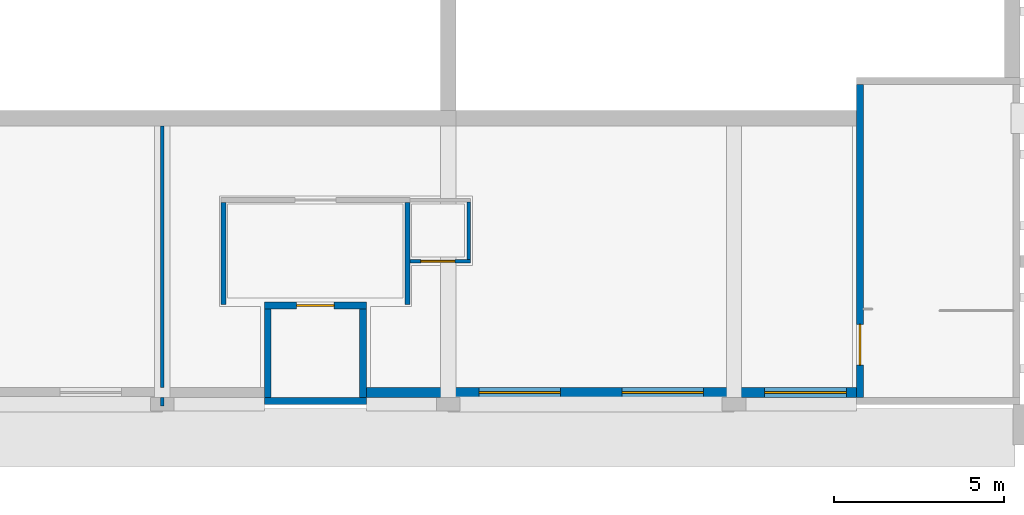
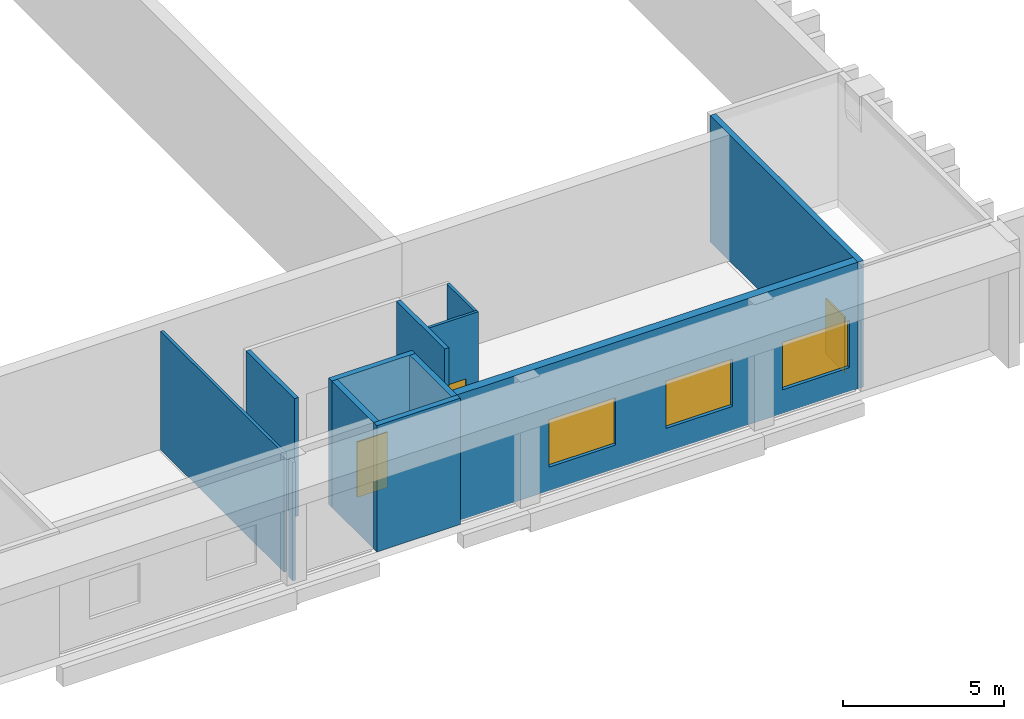
# One storey, part 47 of 86: 12 walls, 3 doors, 3 windows, 6 openings.
"""IFC4 building model written with IfcOpenShell, lengths in metres."""

from ifc_helpers import new_model, si_unit, direction, frame, frame_2d, origin, place, context, subcontext, project, spatial, rectangle, extrude, material, layer, layer_set, type_object, element, fill, save


model = new_model("IFC4")

# Units and contexts
model_context = context("Model", 3, precision=1e-05, world=origin(), true_north=direction((0.0, 1.0)))
body_context = subcontext(model_context, "Body", "Model", "MODEL_VIEW")
ifc_project = project(units=[si_unit("LENGTHUNIT", "METRE"), si_unit("AREAUNIT", "SQUARE_METRE"), si_unit("VOLUMEUNIT", "CUBIC_METRE"), si_unit("PLANEANGLEUNIT", "RADIAN"), si_unit("MASSUNIT", "GRAM", prefix="KILO")], contexts=[model_context])

# Site, building, storey
site_placement = place(None, origin())
site = spatial("IfcSite", under=ifc_project, at=site_placement, CompositionType="ELEMENT")
building_placement = place(site_placement, origin())
building = spatial("IfcBuilding", under=site, at=building_placement, Name="Kiln Court Media Centre", CompositionType="ELEMENT")
storey_placement = place(building_placement, frame((0.0, 0.0, 10.199951171875)))
storey = spatial("IfcBuildingStorey", under=building, at=storey_placement, Name="L02", CompositionType="ELEMENT", Elevation=10.199951171875)

# Walls
ifc_material_1 = material(Name="Concrete block masonry M7.5", Category="masonry")
ifc_layer_1 = layer(ifc_material_1, 0.14990234375)
ifc_layer_set_1 = layer_set([ifc_layer_1], Name="Block lobby wall 150 EI 120")
wall_type_1 = type_object("IfcWallType", Name="Block lobby wall 150 EI 120", PredefinedType="SOLIDWALL", material=ifc_layer_set_1)
for number, where, z_axis, x_axis, name in (
    (1, (77.39990234375, 28.125, 0.0), (0.0, 0.0, 1.0), (0.0, 1.0, 0.0), "L02 block lobby wall"),
    (2, (82.800048828125, 28.125, 0.0), (0.0, 0.0, 1.0), (0.0, 1.0, 0.0), "L02 block lobby wall"),
):
    element("IfcWall", number, at=place(storey_placement, frame(where, z_axis=z_axis, x_axis=x_axis)), inside=storey, type_object=wall_type_1, Name=name, PredefinedType="SOLIDWALL", context=body_context, shape_type="SweptSolid", body=[
        extrude(rectangle(XDim=3.0, YDim=0.14990234375, at=frame_2d((1.5, 0.0))), origin(), (0.0, 0.0, 1.0), 4.5),
    ])

# Wall, openings, windows
ifc_material_2 = material(Name="Concrete C40/50", Category="concrete")
ifc_layer_2 = layer(ifc_material_2, 0.300048828125)
ifc_layer_set_2 = layer_set([ifc_layer_2], Name="Concrete C40/50 board-marked facade wall 300")
wall_type_2 = type_object("IfcWallType", Name="Concrete C40/50 board-marked facade wall 300", PredefinedType="SOLIDWALL", material=ifc_layer_set_2)
wall_1_placement = place(storey_placement, frame((96.0, 25.550048828125, 0.0), z_axis=(0.0, 0.0, 1.0), x_axis=(-1.0, 0.0, 0.0)))
wall_1 = element("IfcWall", 3, at=wall_1_placement, inside=storey, type_object=wall_type_2, Name="V1 S facade wall 4002", PredefinedType="SOLIDWALL", context=body_context, shape_type="SweptSolid", body=[
    extrude(rectangle(XDim=14.39990234375, YDim=0.300048828125, at=frame_2d((7.199951171875, 0.0))), origin(), (0.0, 0.0, 1.0), 4.800048828125),
])
opening_1_placement = place(wall_1_placement, frame((8.699951171875, 0.0, 0.89990234375)))
opening_1 = element("IfcOpeningElement", 4, at=opening_1_placement, cuts=wall_1, Name="Opening WN2503", PredefinedType="OPENING", context=body_context, shape_type="SweptSolid", body=[
    extrude(rectangle(XDim=2.39990234375, YDim=1.800048828125, at=frame_2d((1.199951171875, 0.89990234375))), frame((0.0, 0.159912109375, 0.0), z_axis=(0.0, -1.0, 0.0), x_axis=(1.0, 0.0, 0.0)), (0.0, 0.0, 1.0), 0.320068359375),
])
opening_2_placement = place(wall_1_placement, frame((4.5, 0.0, 0.89990234375)))
opening_2 = element("IfcOpeningElement", 5, at=opening_2_placement, cuts=wall_1, Name="Opening WN2504", PredefinedType="OPENING", context=body_context, shape_type="SweptSolid", body=[
    extrude(rectangle(XDim=2.39990234375, YDim=1.800048828125, at=frame_2d((1.199951171875, 0.89990234375))), frame((0.0, 0.159912109375, 0.0), z_axis=(0.0, -1.0, 0.0), x_axis=(1.0, 0.0, 0.0)), (0.0, 0.0, 1.0), 0.320068359375),
])
opening_3_placement = place(wall_1_placement, frame((0.300048828125, 0.0, 0.89990234375)))
opening_3 = element("IfcOpeningElement", 6, at=opening_3_placement, cuts=wall_1, Name="Opening WN2505", PredefinedType="OPENING", context=body_context, shape_type="SweptSolid", body=[
    extrude(rectangle(XDim=2.39990234375, YDim=1.800048828125, at=frame_2d((1.199951171875, 0.89990234375))), frame((0.0, 0.159912109375, 0.0), z_axis=(0.0, -1.0, 0.0), x_axis=(1.0, 0.0, 0.0)), (0.0, 0.0, 1.0), 0.320068359375),
])
ifc_material_3 = material(Name="Aluminium 6063-T6", Category="aluminium")
window_type = type_object("IfcWindowType", Name="Aluminium lobby window 2400x1800", PartitioningType="TRIPLE_PANEL_VERTICAL", PredefinedType="WINDOW", material=ifc_material_3)
window_1_placement = place(opening_1_placement, origin())
window_1 = element("IfcWindow", 7, at=window_1_placement, inside=storey, type_object=window_type, Name="V1 S lounge window", OverallHeight=1.800048828125, OverallWidth=2.39990234375, PartitioningType="SINGLE_PANEL", PredefinedType="WINDOW", context=body_context, shape_type="SweptSolid", body=[
    extrude(rectangle(XDim=2.39990234375, YDim=1.800048828125, at=frame_2d((1.199951171875, 0.89990234375))), frame((0.0, 0.030029296875, 0.0), z_axis=(0.0, -1.0, 0.0), x_axis=(1.0, 0.0, 0.0)), (0.0, 0.0, 1.0), 0.06005859375),
])
fill(opening_1, window_1)
window_2_placement = place(opening_2_placement, origin())
window_2 = element("IfcWindow", 8, at=window_2_placement, inside=storey, type_object=window_type, Name="V1 S lounge window", OverallHeight=1.800048828125, OverallWidth=2.39990234375, PartitioningType="SINGLE_PANEL", PredefinedType="WINDOW", context=body_context, shape_type="SweptSolid", body=[
    extrude(rectangle(XDim=2.39990234375, YDim=1.800048828125, at=frame_2d((1.199951171875, 0.89990234375))), frame((0.0, 0.030029296875, 0.0), z_axis=(0.0, -1.0, 0.0), x_axis=(1.0, 0.0, 0.0)), (0.0, 0.0, 1.0), 0.06005859375),
])
fill(opening_2, window_2)
window_3_placement = place(opening_3_placement, origin())
window_3 = element("IfcWindow", 9, at=window_3_placement, inside=storey, type_object=window_type, Name="V1 S lounge window", OverallHeight=1.800048828125, OverallWidth=2.39990234375, PartitioningType="SINGLE_PANEL", PredefinedType="WINDOW", context=body_context, shape_type="SweptSolid", body=[
    extrude(rectangle(XDim=2.39990234375, YDim=1.800048828125, at=frame_2d((1.199951171875, 0.89990234375))), frame((0.0, 0.030029296875, 0.0), z_axis=(0.0, -1.0, 0.0), x_axis=(1.0, 0.0, 0.0)), (0.0, 0.0, 1.0), 0.06005859375),
])
fill(opening_3, window_3)

# Wall, opening, door
ifc_material_4 = material(Name="Concrete C40/50", Category="concrete")
ifc_layer_3 = layer(ifc_material_4, 0.199951171875)
ifc_layer_set_3 = layer_set([ifc_layer_3], Name="Concrete C40/50 shear wall 200")
wall_type_3 = type_object("IfcWallType", Name="Concrete C40/50 shear wall 200", PredefinedType="SHEAR", material=ifc_layer_set_3)
wall_2_placement = place(storey_placement, frame((96.10009765625, 25.39990234375, 0.0), z_axis=(0.0, 0.0, 1.0), x_axis=(0.0, 1.0, 0.0)))
wall_2 = element("IfcWall", 10, at=wall_2_placement, inside=storey, type_object=wall_type_3, Name="L02-W-1038", PredefinedType="SHEAR", context=body_context, shape_type="SweptSolid", body=[
    extrude(rectangle(XDim=9.2001953125, YDim=0.199951171875, at=frame_2d((4.60009765625, 0.0))), origin(), (0.0, 0.0, 1.0), 4.800048828125),
])
opening_4_placement = place(wall_2_placement, frame((0.9501953125, 0.0, 0.0)))
opening_4 = element("IfcOpeningElement", 11, at=opening_4_placement, cuts=wall_2, Name="Opening D2003", PredefinedType="OPENING", context=body_context, shape_type="SweptSolid", body=[
    extrude(rectangle(XDim=1.199951171875, YDim=2.10009765625, at=frame_2d((0.60009765625, 1.050048828125))), frame((0.0, 0.10986328125, 0.0), z_axis=(0.0, -1.0, 0.0), x_axis=(1.0, 0.0, 0.0)), (0.0, 0.0, 1.0), 0.219970703125),
])
ifc_material_5 = material(Name="Steel S275", Category="steel")
door_type_1 = type_object("IfcDoorType", Name="Steel stair door 1200 x 2100 FD180", OperationType="SINGLE_SWING_LEFT", PredefinedType="DOOR", material=ifc_material_5)
door_1_placement = place(opening_4_placement, origin())
door_1 = element("IfcDoor", 12, at=door_1_placement, inside=storey, type_object=door_type_1, Name="Upper Lounge and Bar / Stair 10", OperationType="SINGLE_SWING_LEFT", OverallHeight=2.10009765625, OverallWidth=1.199951171875, PredefinedType="DOOR", context=body_context, shape_type="SweptSolid", body=[
    extrude(rectangle(XDim=1.199951171875, YDim=2.10009765625, at=frame_2d((0.60009765625, 1.050048828125))), frame((0.0, 0.02490234375, 0.0), z_axis=(0.0, -1.0, 0.0), x_axis=(1.0, 0.0, 0.0)), (0.0, 0.0, 1.0), 0.050048828125),
])
fill(opening_4, door_1)

# Wall
wall_3_placement = place(storey_placement, frame((81.60009765625, 25.300048828125, 0.0), z_axis=(0.0, 0.0, 1.0), x_axis=(-1.0, 0.0, 0.0)))
element("IfcWall", 13, at=wall_3_placement, inside=storey, type_object=wall_type_3, Name="L02-W-1090", PredefinedType="SHEAR", context=body_context, shape_type="SweptSolid", body=[
    extrude(rectangle(XDim=3.0, YDim=0.199951171875, at=frame_2d((1.5, 0.0))), origin(), (0.0, 0.0, 1.0), 4.800048828125),
])

# Wall, opening, door
wall_4_placement = place(storey_placement, frame((78.60009765625, 28.10009765625, 0.0), z_axis=(0.0, 0.0, 1.0), x_axis=(1.0, 0.0, 0.0)))
wall_4 = element("IfcWall", 14, at=wall_4_placement, inside=storey, type_object=wall_type_3, Name="L02-W-1091", PredefinedType="SHEAR", context=body_context, shape_type="SweptSolid", body=[
    extrude(rectangle(XDim=3.0, YDim=0.199951171875, at=frame_2d((1.5, 0.0))), origin(), (0.0, 0.0, 1.0), 4.800048828125),
])
opening_5_placement = place(wall_4_placement, frame((0.949951171875, 0.0, 0.0)))
opening_5 = element("IfcOpeningElement", 15, at=opening_5_placement, cuts=wall_4, Name="Opening LD209", PredefinedType="OPENING", context=body_context, shape_type="SweptSolid", body=[
    extrude(rectangle(XDim=1.10009765625, YDim=2.10009765625, at=frame_2d((0.550048828125, 1.050048828125))), frame((0.0, 0.10986328125, 0.0), z_axis=(0.0, -1.0, 0.0), x_axis=(1.0, 0.0, 0.0)), (0.0, 0.0, 1.0), 0.219970703125),
])
ifc_material_6 = material(Name="Stainless steel", Category="steel")
door_type_2 = type_object("IfcDoorType", Name="Firefighting lift landing door 1100 x 2100 FD120", OperationType="SLIDING_TO_LEFT", PredefinedType="DOOR", material=ifc_material_6)
door_2_placement = place(opening_5_placement, origin())
door_2 = element("IfcDoor", 16, at=door_2_placement, inside=storey, type_object=door_type_2, Name="LF-09 landing door L02", OperationType="SLIDING_TO_LEFT", OverallHeight=2.10009765625, OverallWidth=1.10009765625, PredefinedType="DOOR", context=body_context, shape_type="SweptSolid", body=[
    extrude(rectangle(XDim=1.10009765625, YDim=2.10009765625, at=frame_2d((0.550048828125, 1.050048828125))), frame((0.0, 0.02490234375, 0.0), z_axis=(0.0, -1.0, 0.0), x_axis=(1.0, 0.0, 0.0)), (0.0, 0.0, 1.0), 0.050048828125),
])
fill(opening_5, door_2)

# Walls
for number, where, z_axis, x_axis, name in (
    (17, (78.699951171875, 25.39990234375, 0.0), (0.0, 0.0, 1.0), (0.0, 1.0, 0.0), "L02-W-1092"),
    (18, (81.5, 28.0, 0.0), (0.0, 0.0, 1.0), (0.0, -1.0, 0.0), "L02-W-1093"),
):
    element("IfcWall", number, at=place(storey_placement, frame(where, z_axis=z_axis, x_axis=x_axis)), inside=storey, type_object=wall_type_3, Name=name, PredefinedType="SHEAR", context=body_context, shape_type="SweptSolid", body=[
        extrude(rectangle(XDim=2.60009765625, YDim=0.199951171875, at=frame_2d((1.300048828125, 0.0))), origin(), (0.0, 0.0, 1.0), 4.800048828125),
    ])

# Wall, opening, door
ifc_material_7 = material(Name="Gypsum plasterboard", Category="gypsum")
ifc_layer_4 = layer(ifc_material_7, 0.10009765625)
ifc_layer_set_4 = layer_set([ifc_layer_4], Name="Gypsum stud partition 100")
wall_type_4 = type_object("IfcWallType", Name="Gypsum stud partition 100", PredefinedType="PARTITIONING", material=ifc_layer_set_4)
wall_5_placement = place(storey_placement, frame((82.875, 29.39990234375, 0.0), z_axis=(0.0, 0.0, 1.0), x_axis=(1.0, 0.0, 0.0)))
wall_5 = element("IfcWall", 19, at=wall_5_placement, inside=storey, type_object=wall_type_4, Name="L02 gypsum stud partition", PredefinedType="PARTITIONING", context=body_context, shape_type="SweptSolid", body=[
    extrude(rectangle(XDim=1.77490234375, YDim=0.10009765625, at=frame_2d((0.887451171875, 0.0))), origin(), (0.0, 0.0, 1.0), 4.5),
])
opening_6_placement = place(wall_5_placement, frame((0.324951171875, 0.0, 0.0)))
opening_6 = element("IfcOpeningElement", 20, at=opening_6_placement, cuts=wall_5, Name="Opening D2024", PredefinedType="OPENING", context=body_context, shape_type="SweptSolid", body=[
    extrude(rectangle(XDim=1.0, YDim=2.10009765625, at=frame_2d((0.5, 1.050048828125))), frame((0.0, 0.06005859375, 0.0), z_axis=(0.0, -1.0, 0.0), x_axis=(1.0, 0.0, 0.0)), (0.0, 0.0, 1.0), 0.1201171875),
])
ifc_material_8 = material(Name="Timber", Category="wood")
door_type_3 = type_object("IfcDoorType", Name="Timber door 1000 x 2100", OperationType="SINGLE_SWING_LEFT", PredefinedType="DOOR", material=ifc_material_8)
door_3_placement = place(opening_6_placement, origin())
door_3 = element("IfcDoor", 21, at=door_3_placement, inside=storey, type_object=door_type_3, Name="Upper Lounge and Bar / Wheelchair Refuge", OperationType="SINGLE_SWING_LEFT", OverallHeight=2.10009765625, OverallWidth=1.0, PredefinedType="DOOR", context=body_context, shape_type="SweptSolid", body=[
    extrude(rectangle(XDim=1.0, YDim=2.10009765625, at=frame_2d((0.5, 1.050048828125))), frame((0.0, 0.02490234375, 0.0), z_axis=(0.0, -1.0, 0.0), x_axis=(1.0, 0.0, 0.0)), (0.0, 0.0, 1.0), 0.050048828125),
])
fill(opening_6, door_3)

# Walls
wall_6_placement = place(storey_placement, frame((75.60009765625, 25.14990234375, 0.0), z_axis=(0.0, 0.0, 1.0), x_axis=(0.0, 1.0, 0.0)))
element("IfcWall", 22, at=wall_6_placement, inside=storey, type_object=wall_type_4, Name="L02 gypsum stud partition", PredefinedType="PARTITIONING", context=body_context, shape_type="SweptSolid", body=[
    extrude(rectangle(XDim=0.25, YDim=0.10009765625, at=frame_2d((0.125, 0.0))), origin(), (0.0, 0.0, 1.0), 4.5),
])
wall_7_placement = place(storey_placement, frame((75.60009765625, 25.699951171875, 0.0), z_axis=(0.0, 0.0, 1.0), x_axis=(0.0, 1.0, 0.0)))
element("IfcWall", 23, at=wall_7_placement, inside=storey, type_object=wall_type_4, Name="L02 gypsum stud partition", PredefinedType="PARTITIONING", context=body_context, shape_type="SweptSolid", body=[
    extrude(rectangle(XDim=7.675048828125, YDim=0.10009765625, at=frame_2d((3.83740234375, 0.0))), origin(), (0.0, 0.0, 1.0), 4.5),
])
wall_8_placement = place(storey_placement, frame((84.60009765625, 29.449951171875, 0.0), z_axis=(0.0, 0.0, 1.0), x_axis=(0.0, 1.0, 0.0)))
element("IfcWall", 24, at=wall_8_placement, inside=storey, type_object=wall_type_4, Name="L02 gypsum stud partition", PredefinedType="PARTITIONING", context=body_context, shape_type="SweptSolid", body=[
    extrude(rectangle(XDim=1.699951171875, YDim=0.10009765625, at=frame_2d((0.85009765625, 0.0))), origin(), (0.0, 0.0, 1.0), 4.5),
])

save(model, "model.ifc")
